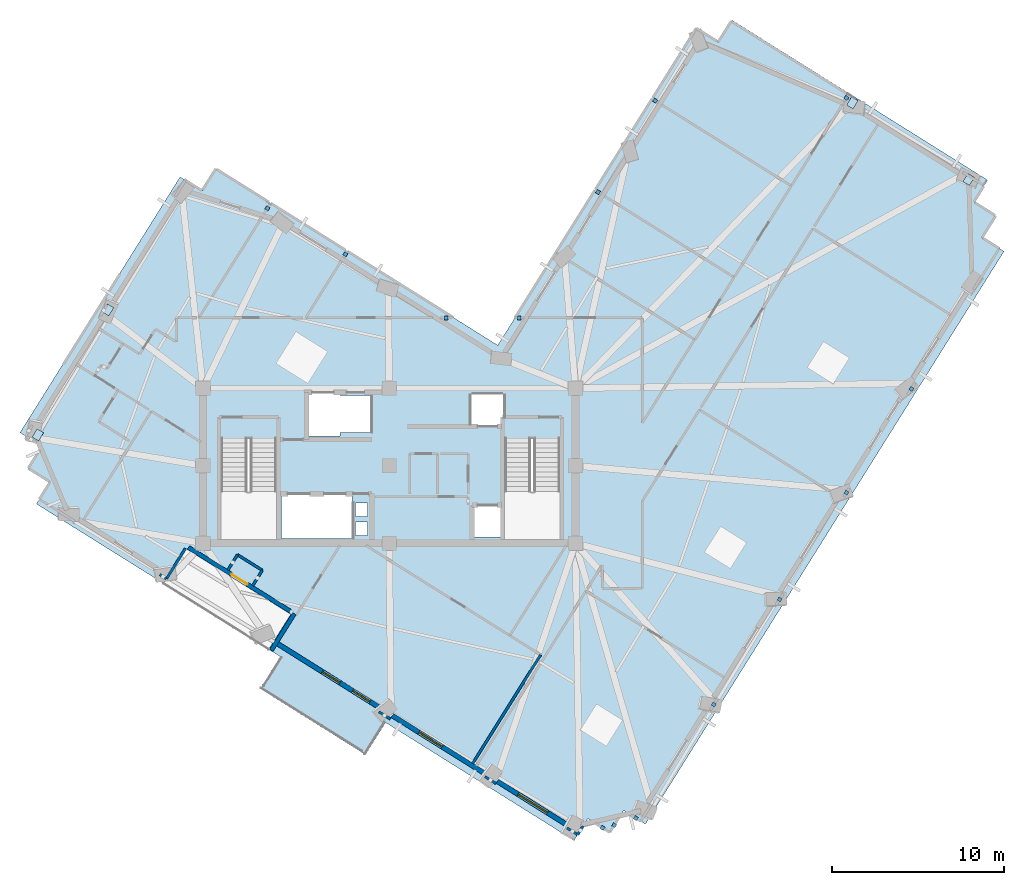
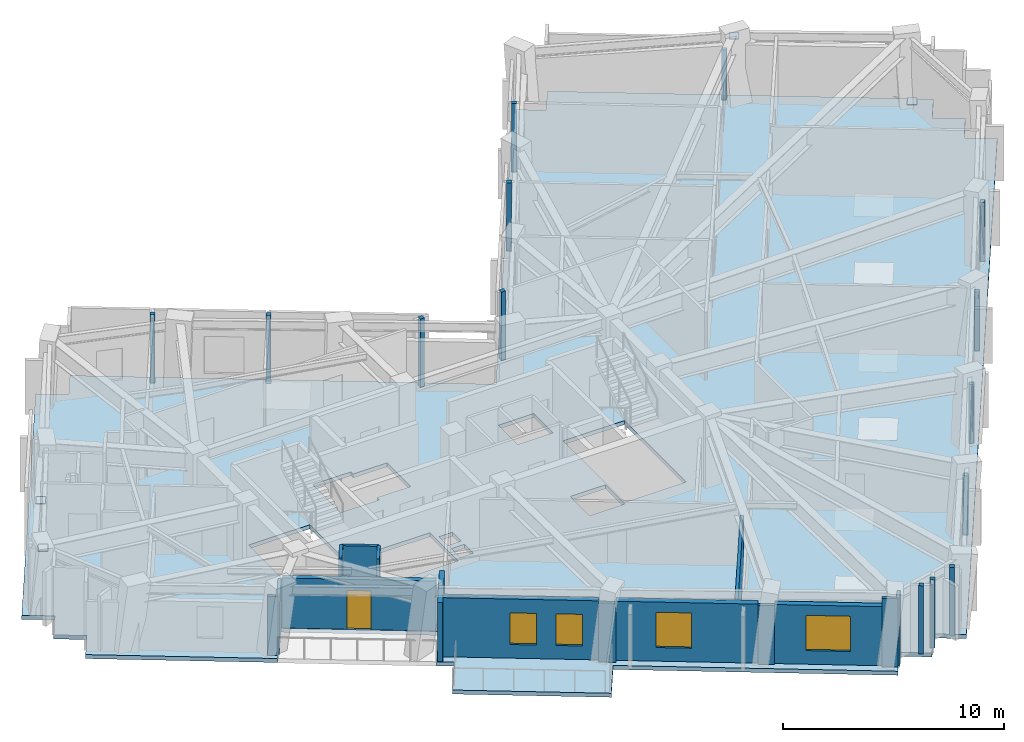
# One storey, part 4 of 12: 18 plates, 15 walls, 4 windows, 1 door, 1 slab, 5 openings.
"""IFC4 building model written with IfcOpenShell, lengths in metres."""

from ifc_helpers import new_model, si_unit, direction, frame, frame_2d, origin, origin_2d, place, context, subcontext, project, spatial, polyline, rectangle, outline, extrude, material, layer, layer_set, type_object, element, fill, save


model = new_model("IFC4")

# Units and contexts
model_context = context("Model", 3, precision=1e-05, world=origin(), true_north=direction((0.0, 1.0)))
body_context = subcontext(model_context, "Body", "Model", "MODEL_VIEW")
ifc_project = project(units=[si_unit("LENGTHUNIT", "METRE"), si_unit("AREAUNIT", "SQUARE_METRE"), si_unit("VOLUMEUNIT", "CUBIC_METRE"), si_unit("PLANEANGLEUNIT", "RADIAN"), si_unit("MASSUNIT", "GRAM", prefix="KILO")], contexts=[model_context])

# Site, building, storey
site_placement = place(None, origin())
site = spatial("IfcSite", under=ifc_project, at=site_placement, CompositionType="ELEMENT")
building_placement = place(site_placement, origin())
building = spatial("IfcBuilding", under=site, at=building_placement, Name="Gaonmaruhae Medical Tower", CompositionType="ELEMENT")
storey_placement = place(building_placement, frame((0.0, 0.0, 272.60009765625)))
storey = spatial("IfcBuildingStorey", under=building, at=storey_placement, Name="L65", CompositionType="ELEMENT", Elevation=272.60009765625)

# Slab
ifc_material_1 = material(Name="Concrete C40/50", Category="concrete")
ifc_layer_1 = layer(ifc_material_1, 0.219970703125)
ifc_layer_set_1 = layer_set([ifc_layer_1], Name="Concrete C40/50")
slab_type = type_object("IfcSlabType", Name="FS-220 Clinical Ward Composite Floor Slab", PredefinedType="FLOOR", material=ifc_layer_set_1)
slab_placement = place(storey_placement, frame((0.0, 0.0, -0.22021484375)))
element("IfcSlab", 1, at=slab_placement, inside=storey, type_object=slab_type, Name="L65 Structural Slab 1", PredefinedType="FLOOR", context=body_context, shape_type="SweptSolid", body=[
    extrude(outline(polyline([(5.128662109375, 11.360107421875), (3.857177734375, 12.15625), (4.6533203125, 13.427490234375), (3.3818359375, 14.223388671875), (12.668212890625, 29.056396484375), (13.939697265625, 28.26025390625), (14.735595703125, 29.53173828125), (31.093994140625, 19.2900390625), (42.609375, 37.6826171875), (43.880859375, 36.88671875), (44.6767578125, 38.157958984375), (59.509521484375, 28.871337890625), (58.71337890625, 27.60009765625), (59.98486328125, 26.80419921875), (59.18896484375, 25.53271484375), (60.460205078125, 24.73681640625), (39.658447265625, -8.48876953125), (38.38720703125, -7.692626953125), (37.591064453125, -8.964111328125), (36.319580078125, -8.168212890625), (35.523681640625, -9.439453125), (24.58984375, -2.593994140625), (23.42236328125, -4.45849609375), (17.31982421875, -0.637939453125), (18.4873046875, 1.226806640625), (17.80908203125, 1.6513671875), (19.082763671875, 3.685546875), (12.980224609375, 7.50634765625), (11.70654296875, 5.47216796875), (4.33251953125, 10.0888671875), (5.128662109375, 11.360107421875)]), holes=[polyline([(23.550048828125, 8.25), (22.85009765625, 8.25), (22.85009765625, 9.050048828125), (23.550048828125, 9.050048828125), (23.550048828125, 8.25)]), polyline([(29.574951171875, 9.925048828125), (31.425048828125, 9.925048828125), (31.425048828125, 8.175048828125), (29.574951171875, 8.175048828125), (29.574951171875, 9.925048828125)]), polyline([(18.550048828125, 10.625), (22.64990234375, 10.625), (22.64990234375, 8.074951171875), (18.550048828125, 8.074951171875), (18.550048828125, 10.625)]), polyline([(23.550048828125, 9.35009765625), (22.85009765625, 9.35009765625), (22.85009765625, 10.14990234375), (23.550048828125, 10.14990234375), (23.550048828125, 9.35009765625)]), polyline([(15.050048828125, 13.889892578125), (18.25, 13.889892578125), (18.25, 8.300048828125), (15.050048828125, 8.300048828125), (15.050048828125, 13.889892578125)]), polyline([(31.5, 13.889892578125), (34.699951171875, 13.889892578125), (34.699951171875, 8.300048828125), (31.5, 8.300048828125), (31.5, 13.889892578125)]), polyline([(23.72509765625, 14.22509765625), (21.949951171875, 14.22509765625), (21.949951171875, 14.02490234375), (19.949951171875, 14.02490234375), (19.949951171875, 16.574951171875), (21.949951171875, 16.574951171875), (21.949951171875, 16.375), (23.72509765625, 16.375), (23.72509765625, 14.22509765625)]), polyline([(31.425048828125, 16.425048828125), (31.425048828125, 14.675048828125), (29.574951171875, 14.675048828125), (29.574951171875, 16.425048828125), (31.425048828125, 16.425048828125)])]), origin(), (0.0, 0.0, 1.0), 0.22021484375),
])

# Plates
ifc_material_2 = material(Name="Steel HSA650 (650 MPa)", Category="steel")
ifc_layer_2 = layer(ifc_material_2, 0.028076171875)
ifc_layer_set_2 = layer_set([ifc_layer_2], Name="Steel HSA650 (650 MPa)")
plate_type_1 = type_object("IfcPlateType", Name="GP-02 Tube Brace End Cap Gusset Plate", PredefinedType="USERDEFINED", material=ifc_layer_set_2)
for number, where, z_axis, x_axis, name in (
    (2, (58.412353515625, 28.909423828125, 0.23583984375), (0.0, 0.0, 1.0), (0.530659123936, 0.847585331506, 0.0), "L65 Gusset Cap Plate PLT-L65-PBR-E01A"),
    (3, (51.662109375, 33.34912109375, 3.515625), (0.0, 0.0, 1.0), (0.516533328867, 0.8562670846, 0.0), "L65 Gusset Cap Plate PLT-L65-PBR-E01B"),
    (4, (8.4912109375, 21.34814453125, 0.23583984375), (0.0, 0.0, 1.0), (0.530659123936, 0.847585331506, 0.0), "L65 Gusset Cap Plate PLT-L65-PBR-N02A"),
    (5, (4.4169921875, 14.08984375, 3.43701171875), (0.0, 0.0, 1.0), (0.516533328867, 0.8562670846, 0.0), "L65 Gusset Cap Plate PLT-L65-PBR-N02B"),
):
    element("IfcPlate", number, at=place(storey_placement, frame(where, z_axis=z_axis, x_axis=x_axis)), inside=storey, type_object=plate_type_1, Name=name, ObjectType="GUSSET_PLATE", PredefinedType="USERDEFINED", context=body_context, shape_type="SweptSolid", body=[
        extrude(rectangle(XDim=0.56005859375, YDim=0.43994140625, at=origin_2d()), origin(), (0.0, 0.0, 1.0), 0.028076171875),
    ])
ifc_material_3 = material(Name="Anodised aluminium 6063-T6", Category="aluminium")
ifc_layer_3 = layer(ifc_material_3, 0.011962890625)
ifc_layer_set_3 = layer_set([ifc_layer_3], Name="Anodised aluminium 6063-T6")
plate_type_2 = type_object("IfcPlateType", Name="PP-01 Interior Partition Corner Stiffener Plate", PredefinedType="SHEET", material=ifc_layer_set_3)
plate_1_placement = place(storey_placement, frame((37.172607421875, -8.701904296875, 0.0), z_axis=(0.0, 0.0, 1.0), x_axis=(-0.847603854487, 0.530629537303, 0.0)))
element("IfcPlate", 6, at=plate_1_placement, inside=storey, type_object=plate_type_2, Name="L65 Partition Corner Stiffener Plate PLT-L65-JGP-PW008", PredefinedType="SHEET", context=body_context, shape_type="SweptSolid", body=[
    extrude(rectangle(XDim=0.219970703125, YDim=0.219970703125, at=origin_2d()), origin(), (0.0, 0.0, 1.0), 3.780029296875),
])
plate_2_placement = place(storey_placement, frame((43.625, -1.550048828125, 0.0), z_axis=(0.0, 0.0, 1.0), x_axis=(-0.530244852254, -0.847844559255, 0.0)))
element("IfcPlate", 7, at=plate_2_placement, inside=storey, type_object=plate_type_2, Name="L65 Partition Corner Stiffener Plate PLT-L65-JGP-PW014", PredefinedType="SHEET", context=body_context, shape_type="SweptSolid", body=[
    extrude(rectangle(XDim=0.219970703125, YDim=0.219970703125, at=origin_2d()), origin(), (0.0, 0.0, 1.0), 3.264892578125),
])
for number, where, z_axis, x_axis, name in (
    (8, (39.10400390625, -8.14208984375, 0.0), (0.0, 0.0, 1.0), (-0.847826049701, 0.530274447289, 0.0), "L65 Partition Corner Stiffener Plate PLT-L65-JGP-PW016"),
    (9, (37.85302734375, -8.54541015625, 0.0), (0.0, 0.0, 1.0), (-0.530629537303, -0.847603854487, 0.0), "L65 Partition Corner Stiffener Plate PLT-L65-JGP-PW017"),
):
    element("IfcPlate", number, at=place(storey_placement, frame(where, z_axis=z_axis, x_axis=x_axis)), inside=storey, type_object=plate_type_2, Name=name, PredefinedType="SHEET", context=body_context, shape_type="SweptSolid", body=[
        extrude(rectangle(XDim=0.219970703125, YDim=0.219970703125, at=origin_2d()), origin(), (0.0, 0.0, 1.0), 3.780029296875),
    ])
for number, where, z_axis, x_axis, name in (
    (10, (47.445556640625, 4.552001953125, 0.0), (0.0, 0.0, 1.0), (-0.530466799267, -0.847705712424, 0.0), "L65 Partition Corner Stiffener Plate PLT-L65-JGP-PW022"),
    (11, (55.0859375, 16.756591796875, 0.0), (0.0, 0.0, 1.0), (-0.530570362098, -0.847640897352, 0.0), "L65 Partition Corner Stiffener Plate PLT-L65-JGP-PW027"),
    (12, (51.322021484375, 10.744384765625, 0.0), (0.0, 0.0, 1.0), (-0.529845256058, -0.848094337107, 0.0), "L65 Partition Corner Stiffener Plate PLT-L65-JGP-PW028"),
):
    element("IfcPlate", number, at=place(storey_placement, frame(where, z_axis=z_axis, x_axis=x_axis)), inside=storey, type_object=plate_type_2, Name=name, PredefinedType="SHEET", context=body_context, shape_type="SweptSolid", body=[
        extrude(rectangle(XDim=0.219970703125, YDim=0.219970703125, at=origin_2d()), origin(), (0.0, 0.0, 1.0), 3.264892578125),
    ])
for number, where, z_axis, x_axis, name in (
    (13, (32.346435546875, 20.8798828125, 0.0), (0.0, 0.0, 1.0), (-1.0, 0.0, 0.0), "L65 Partition Corner Stiffener Plate PLT-L65-JGP-PW058"),
    (14, (28.10693359375, 20.8798828125, 0.0), (0.0, 0.0, 1.0), (-1.0, 0.0, 0.0), "L65 Partition Corner Stiffener Plate PLT-L65-JGP-PW063"),
    (15, (22.256591796875, 24.56591796875, 0.0), (0.0, 0.0, 1.0), (0.531649902258, 0.846964214964, 0.0), "L65 Partition Corner Stiffener Plate PLT-L65-JGP-PW066"),
    (16, (17.73095703125, 27.2294921875, 0.0), (0.0, 0.0, 1.0), (0.530866212258, 0.84745564172, 0.0), "L65 Partition Corner Stiffener Plate PLT-L65-JGP-PW070"),
    (17, (36.9140625, 28.175537109375, 0.0), (0.0, 0.0, 1.0), (0.846964214964, -0.531649902258, 0.0), "L65 Partition Corner Stiffener Plate PLT-L65-JGP-PW092"),
    (18, (40.23046875, 33.473388671875, 0.0), (0.0, 0.0, 1.0), (0.847613115591, -0.530614743744, 0.0), "L65 Partition Corner Stiffener Plate PLT-L65-JGP-PW096"),
):
    element("IfcPlate", number, at=place(storey_placement, frame(where, z_axis=z_axis, x_axis=x_axis)), inside=storey, type_object=plate_type_2, Name=name, PredefinedType="SHEET", context=body_context, shape_type="SweptSolid", body=[
        extrude(rectangle(XDim=0.219970703125, YDim=0.219970703125, at=origin_2d()), origin(), (0.0, 0.0, 1.0), 3.780029296875),
    ])
plate_3_placement = place(storey_placement, frame((51.31640625, 33.632080078125, 0.0), z_axis=(0.0, 0.0, 1.0), x_axis=(-0.531161997734, -0.847270282828, 0.0)))
element("IfcPlate", 19, at=plate_3_placement, inside=storey, type_object=plate_type_2, Name="L65 Partition Corner Stiffener Plate PLT-L65-JGP-PW101", PredefinedType="SHEET", context=body_context, shape_type="SweptSolid", body=[
    extrude(rectangle(XDim=0.219970703125, YDim=0.219970703125, at=origin_2d()), origin(), (0.0, 0.0, 1.0), 2.764892578125),
])

# Wall, opening, door
ifc_material_4 = material(Name="Precast concrete C45/55", Category="concrete")
ifc_layer_4 = layer(ifc_material_4, 0.239990234375)
ifc_layer_set_4 = layer_set([ifc_layer_4], Name="Precast concrete C45/55")
wall_type_1 = type_object("IfcWallType", Name="EW-240 Ribbon & Shelter Insulated Precast Wall", PredefinedType="SOLIDWALL", material=ifc_layer_set_4)
wall_1_placement = place(storey_placement, frame((19.055419921875, 3.867919921875, 0.0), z_axis=(0.0, 0.0, 1.0), x_axis=(-0.847586178769, 0.530657770658, 0.0)))
wall_1 = element("IfcWall", 20, at=wall_1_placement, inside=storey, type_object=wall_type_1, Name="L65 Recessed Terrace Enclosure Wall TERB", PredefinedType="SOLIDWALL", context=body_context, shape_type="SweptSolid", body=[
    extrude(rectangle(XDim=6.9599609375, YDim=0.239990234375, at=frame_2d((3.47998046875, 0.0))), origin(), (0.0, 0.0, 1.0), 2.764892578125),
])
opening_1_placement = place(wall_1_placement, frame((2.929931640625, 0.0, 0.0)))
opening_1 = element("IfcOpeningElement", 21, at=opening_1_placement, cuts=wall_1, Name="Opening TD-01", PredefinedType="OPENING", context=body_context, shape_type="SweptSolid", body=[
    extrude(rectangle(XDim=1.10009765625, YDim=2.14990234375, at=frame_2d((0.550048828125, 1.074951171875))), frame((0.0, 0.1298828125, 0.0), z_axis=(0.0, -1.0, 0.0), x_axis=(1.0, 0.0, 0.0)), (0.0, 0.0, 1.0), 0.260009765625),
])
ifc_material_5 = material(Name="Anodised aluminium and toughened safety glass", Category="aluminium")
door_type = type_object("IfcDoorType", Name="TD-01 Terrace & Sky Garden Glazed Door 1100x2150", OperationType="NOTDEFINED", PredefinedType="DOOR", material=ifc_material_5)
door_placement = place(opening_1_placement, origin())
door = element("IfcDoor", 22, at=door_placement, inside=storey, type_object=door_type, Name="L65 Outdoor Terrace Access Door SLB-L65-TER", OperationType="SINGLE_SWING_RIGHT", OverallHeight=2.14990234375, OverallWidth=1.10009765625, PredefinedType="DOOR", context=body_context, shape_type="SweptSolid", body=[
    extrude(rectangle(XDim=1.10009765625, YDim=2.14990234375, at=frame_2d((0.550048828125, 1.074951171875))), frame((0.0, 0.02490234375, 0.0), z_axis=(0.0, -1.0, 0.0), x_axis=(1.0, 0.0, 0.0)), (0.0, 0.0, 1.0), 0.050048828125),
])
fill(opening_1, door)

# Wall
wall_2_placement = place(storey_placement, frame((17.966064453125, 1.600341796875, 0.0), z_axis=(0.0, 0.0, 1.0), x_axis=(0.530674698105, 0.847575580577, 0.0)))
element("IfcWall", 23, at=wall_2_placement, inside=storey, type_object=wall_type_1, Name="L65 Recessed Terrace Enclosure Wall TERL", PredefinedType="SOLIDWALL", context=body_context, shape_type="SweptSolid", body=[
    extrude(rectangle(XDim=2.5, YDim=0.239990234375, at=frame_2d((1.25, 0.0))), origin(), (0.0, 0.0, 1.0), 3.264892578125),
])

# Wall, openings, windows
ifc_layer_5 = layer(ifc_material_4, 0.280029296875)
ifc_layer_set_5 = layer_set([ifc_layer_5], Name="Precast concrete C45/55")
wall_type_2 = type_object("IfcWallType", Name="EW-280 Upper Precast Masonry-Frame Facade Wall", PredefinedType="SOLIDWALL", material=ifc_layer_set_5)
wall_3_placement = place(storey_placement, frame((24.316650390625, -1.77392578125, 0.0), z_axis=(0.0, 0.0, 1.0), x_axis=(-0.847587721297, 0.530655306867, 0.0)))
wall_3 = element("IfcWall", 24, at=wall_3_placement, inside=storey, type_object=wall_type_2, Name="L65 Precast Masonry-Frame Wall W03-W04", PredefinedType="SOLIDWALL", context=body_context, shape_type="SweptSolid", body=[
    extrude(rectangle(XDim=7.1533203125, YDim=0.280029296875, at=frame_2d((3.57666015625, 0.0))), origin(), (0.0, 0.0, 1.0), 3.264892578125),
])
opening_2_placement = place(wall_3_placement, frame((2.812744140625, 0.0, 0.75)))
opening_2 = element("IfcOpeningElement", 25, at=opening_2_placement, cuts=wall_3, Name="Opening WN-05", PredefinedType="OPENING", context=body_context, shape_type="SweptSolid", body=[
    extrude(rectangle(XDim=1.199951171875, YDim=1.75, at=frame_2d((0.60009765625, 0.875))), frame((0.0, 0.14990234375, 0.0), z_axis=(0.0, -1.0, 0.0), x_axis=(1.0, 0.0, 0.0)), (0.0, 0.0, 1.0), 0.300048828125),
])
opening_3_placement = place(wall_3_placement, frame((0.742431640625, 0.0, 0.75)))
opening_3 = element("IfcOpeningElement", 26, at=opening_3_placement, cuts=wall_3, Name="Opening WN-05", PredefinedType="OPENING", context=body_context, shape_type="SweptSolid", body=[
    extrude(rectangle(XDim=1.199951171875, YDim=1.75, at=frame_2d((0.60009765625, 0.875))), frame((0.0, 0.14990234375, 0.0), z_axis=(0.0, -1.0, 0.0), x_axis=(1.0, 0.0, 0.0)), (0.0, 0.0, 1.0), 0.300048828125),
])
ifc_material_6 = material(Name="Anodised aluminium and Low-E double glazing", Category="aluminium")
window_type_1 = type_object("IfcWindowType", Name="WN-05 Support & Staff Punched Window 1200x1750", PartitioningType="SINGLE_PANEL", PredefinedType="WINDOW", material=ifc_material_6)
window_1_placement = place(opening_2_placement, origin())
window_1 = element("IfcWindow", 27, at=window_1_placement, inside=storey, type_object=window_type_1, Name="L65 Modular Facade Window W03", OverallHeight=1.75, OverallWidth=1.199951171875, PartitioningType="SINGLE_PANEL", PredefinedType="WINDOW", context=body_context, shape_type="SweptSolid", body=[
    extrude(rectangle(XDim=1.199951171875, YDim=1.75, at=frame_2d((0.60009765625, 0.875))), frame((0.0, 0.030029296875, 0.0), z_axis=(0.0, -1.0, 0.0), x_axis=(1.0, 0.0, 0.0)), (0.0, 0.0, 1.0), 0.06005859375),
])
fill(opening_2, window_1)
window_2_placement = place(opening_3_placement, origin())
window_2 = element("IfcWindow", 28, at=window_2_placement, inside=storey, type_object=window_type_1, Name="L65 Modular Facade Window W03B", OverallHeight=1.75, OverallWidth=1.199951171875, PartitioningType="SINGLE_PANEL", PredefinedType="WINDOW", context=body_context, shape_type="SweptSolid", body=[
    extrude(rectangle(XDim=1.199951171875, YDim=1.75, at=frame_2d((0.60009765625, 0.875))), frame((0.0, 0.030029296875, 0.0), z_axis=(0.0, -1.0, 0.0), x_axis=(1.0, 0.0, 0.0)), (0.0, 0.0, 1.0), 0.06005859375),
])
fill(opening_3, window_2)

# Wall, opening, window
wall_4_placement = place(storey_placement, frame((30.429931640625, -5.601318359375, 0.0), z_axis=(0.0, 0.0, 1.0), x_axis=(-0.847592454716, 0.530647746351, 0.0)))
wall_4 = element("IfcWall", 29, at=wall_4_placement, inside=storey, type_object=wall_type_2, Name="L65 Precast Masonry-Frame Wall W04-W05", PredefinedType="SOLIDWALL", context=body_context, shape_type="SweptSolid", body=[
    extrude(rectangle(XDim=6.425048828125, YDim=0.280029296875, at=frame_2d((3.21240234375, 0.0))), origin(), (0.0, 0.0, 1.0), 3.264892578125),
])
opening_4_placement = place(wall_4_placement, frame((3.01953125, 0.0, 0.75)))
opening_4 = element("IfcOpeningElement", 30, at=opening_4_placement, cuts=wall_4, Name="Opening WN-01", PredefinedType="OPENING", context=body_context, shape_type="SweptSolid", body=[
    extrude(rectangle(XDim=1.60009765625, YDim=1.949951171875, at=frame_2d((0.800048828125, 0.97509765625))), frame((0.0, 0.14990234375, 0.0), z_axis=(0.0, -1.0, 0.0), x_axis=(1.0, 0.0, 0.0)), (0.0, 0.0, 1.0), 0.300048828125),
])
window_type_2 = type_object("IfcWindowType", Name="WN-01 Ward Punched Acoustic Window 1600x1950", PartitioningType="SINGLE_PANEL", PredefinedType="WINDOW", material=ifc_material_6)
window_3_placement = place(opening_4_placement, origin())
window_3 = element("IfcWindow", 31, at=window_3_placement, inside=storey, type_object=window_type_2, Name="L65 Modular Facade Window W04", OverallHeight=1.949951171875, OverallWidth=1.60009765625, PartitioningType="SINGLE_PANEL", PredefinedType="WINDOW", context=body_context, shape_type="SweptSolid", body=[
    extrude(rectangle(XDim=1.60009765625, YDim=1.949951171875, at=frame_2d((0.800048828125, 0.97509765625))), frame((0.0, 0.030029296875, 0.0), z_axis=(0.0, -1.0, 0.0), x_axis=(1.0, 0.0, 0.0)), (0.0, 0.0, 1.0), 0.06005859375),
])
fill(opening_4, window_3)

wall_5_placement = place(storey_placement, frame((35.190673828125, -8.58203125, 0.0), z_axis=(0.0, 0.0, 1.0), x_axis=(-0.847582803741, 0.530663161339, 0.0)))
wall_5 = element("IfcWall", 32, at=wall_5_placement, inside=storey, type_object=wall_type_2, Name="L65 Precast Masonry-Frame Wall W05-W06", PredefinedType="SOLIDWALL", context=body_context, shape_type="SweptSolid", body=[
    extrude(rectangle(XDim=4.85546875, YDim=0.280029296875, at=frame_2d((2.427734375, 0.0))), origin(), (0.0, 0.0, 1.0), 3.264892578125),
])
opening_5_placement = place(wall_5_placement, frame((1.4326171875, 0.0, 0.75)))
opening_5 = element("IfcOpeningElement", 33, at=opening_5_placement, cuts=wall_5, Name="Opening WN-02", PredefinedType="OPENING", context=body_context, shape_type="SweptSolid", body=[
    extrude(rectangle(XDim=2.0, YDim=1.949951171875, at=frame_2d((1.0, 0.97509765625))), frame((0.0, 0.14990234375, 0.0), z_axis=(0.0, -1.0, 0.0), x_axis=(1.0, 0.0, 0.0)), (0.0, 0.0, 1.0), 0.300048828125),
])
window_type_3 = type_object("IfcWindowType", Name="WN-02 Double-Bed Ward Punched Window 2000x1950", PartitioningType="SINGLE_PANEL", PredefinedType="WINDOW", material=ifc_material_6)
window_4_placement = place(opening_5_placement, origin())
window_4 = element("IfcWindow", 34, at=window_4_placement, inside=storey, type_object=window_type_3, Name="L65 Modular Facade Window W05", OverallHeight=1.949951171875, OverallWidth=2.0, PartitioningType="SINGLE_PANEL", PredefinedType="WINDOW", context=body_context, shape_type="SweptSolid", body=[
    extrude(rectangle(XDim=2.0, YDim=1.949951171875, at=frame_2d((1.0, 0.97509765625))), frame((0.0, 0.030029296875, 0.0), z_axis=(0.0, -1.0, 0.0), x_axis=(1.0, 0.0, 0.0)), (0.0, 0.0, 1.0), 0.06005859375),
])
fill(opening_5, window_4)

# Walls
ifc_material_7 = material(Name="Gypsum board partition", Category="gypsum")
ifc_layer_6 = layer(ifc_material_7, 0.14990234375)
ifc_layer_set_6 = layer_set([ifc_layer_6], Name="Gypsum board partition")
wall_type_3 = type_object("IfcWallType", Name="PW-150 Rated Clinical Corridor Partition", PredefinedType="PARTITIONING", material=ifc_layer_set_6)
wall_6_placement = place(storey_placement, frame((36.048095703125, -8.60302734375, 0.0), z_axis=(0.0, 0.0, 1.0), x_axis=(-0.531643231054, -0.846968402524, 0.0)))
element("IfcWall", 35, at=wall_6_placement, inside=storey, type_object=wall_type_3, Name="L65 Interior Partition L65-SUP01-9", PredefinedType="PARTITIONING", context=body_context, shape_type="SweptSolid", body=[
    extrude(rectangle(XDim=0.5869140625, YDim=0.14990234375, at=frame_2d((0.29345703125, 0.0))), origin(), (0.0, 0.0, 1.0), 3.77978515625),
])
wall_7_placement = place(storey_placement, frame((35.736083984375, -9.10009765625, 0.0), z_axis=(0.0, 0.0, 1.0), x_axis=(-0.847700522622, 0.530475092672, 0.0)))
element("IfcWall", 36, at=wall_7_placement, inside=storey, type_object=wall_type_3, Name="L65 Interior Partition L65-SUP01-10", PredefinedType="PARTITIONING", context=body_context, shape_type="SweptSolid", body=[
    extrude(rectangle(XDim=0.7373046875, YDim=0.14990234375, at=frame_2d((0.36865234375, 0.0))), origin(), (0.0, 0.0, 1.0), 3.77978515625),
])
wall_8_placement = place(storey_placement, frame((30.99609375, -6.133056640625, 0.0), z_axis=(0.0, 0.0, 1.0), x_axis=(-0.847818246635, 0.530286922971, 0.0)))
element("IfcWall", 37, at=wall_8_placement, inside=storey, type_object=wall_type_3, Name="L65 Interior Partition L65-SUP01-11", PredefinedType="PARTITIONING", context=body_context, shape_type="SweptSolid", body=[
    extrude(rectangle(XDim=0.761962890625, YDim=0.14990234375, at=frame_2d((0.380859375, 0.0))), origin(), (0.0, 0.0, 1.0), 3.264892578125),
])
wall_9_placement = place(storey_placement, frame((33.583984375, 1.33203125, 0.0), z_axis=(0.0, 0.0, 1.0), x_axis=(-0.530704145161, -0.847557142798, 0.0)))
element("IfcWall", 38, at=wall_9_placement, inside=storey, type_object=wall_type_3, Name="L65 Interior Partition L65-WOF05-36", PredefinedType="PARTITIONING", context=body_context, shape_type="SweptSolid", body=[
    extrude(rectangle(XDim=7.435546875, YDim=0.14990234375, at=frame_2d((3.7177734375, 0.0))), origin(), (0.0, 0.0, 1.0), 2.764892578125),
])
wall_10_placement = place(storey_placement, frame((24.862060546875, -2.386962890625, 0.0), z_axis=(0.0, 0.0, 1.0), x_axis=(-0.8477196799, 0.530444478066, 0.0)))
element("IfcWall", 39, at=wall_10_placement, inside=storey, type_object=wall_type_3, Name="L65 Interior Partition L65-WOF05-37", PredefinedType="PARTITIONING", context=body_context, shape_type="SweptSolid", body=[
    extrude(rectangle(XDim=0.787841796875, YDim=0.14990234375, at=frame_2d((0.39404296875, 0.0))), origin(), (0.0, 0.0, 1.0), 3.264892578125),
])
wall_11_placement = place(storey_placement, frame((16.876953125, 5.343994140625, 0.0), z_axis=(0.0, 0.0, 1.0), x_axis=(0.530872325741, 0.847451812059, 0.0)))
element("IfcWall", 40, at=wall_11_placement, inside=storey, type_object=wall_type_3, Name="L65 Interior Partition L65-WOF06-40", PredefinedType="PARTITIONING", context=body_context, shape_type="SweptSolid", body=[
    extrude(rectangle(XDim=1.054931640625, YDim=0.14990234375, at=frame_2d((0.52734375, 0.0))), origin(), (0.0, 0.0, 1.0), 3.77978515625),
])
wall_12_placement = place(storey_placement, frame((17.43701171875, 6.238037109375, 0.0), z_axis=(0.0, 0.0, 1.0), x_axis=(-0.847659246406, 0.530541046463, 0.0)))
element("IfcWall", 41, at=wall_12_placement, inside=storey, type_object=wall_type_3, Name="L65 Interior Partition L65-WOF06-41", PredefinedType="PARTITIONING", context=body_context, shape_type="SweptSolid", body=[
    extrude(rectangle(XDim=1.699951171875, YDim=0.14990234375, at=frame_2d((0.85009765625, 0.0))), origin(), (0.0, 0.0, 1.0), 3.77978515625),
])
wall_13_placement = place(storey_placement, frame((15.99609375, 7.139892578125, 0.0), z_axis=(0.0, 0.0, 1.0), x_axis=(-0.53097645439, -0.847386573462, 0.0)))
element("IfcWall", 42, at=wall_13_placement, inside=storey, type_object=wall_type_3, Name="L65 Interior Partition L65-WOF06-42", PredefinedType="PARTITIONING", context=body_context, shape_type="SweptSolid", body=[
    extrude(rectangle(XDim=1.0546875, YDim=0.14990234375, at=frame_2d((0.52734375, 0.0))), origin(), (0.0, 0.0, 1.0), 3.77978515625),
])
wall_14_placement = place(storey_placement, frame((12.97998046875, 7.506103515625, 0.0), z_axis=(0.0, 0.0, 1.0), x_axis=(-0.530695000378, -0.847562868803, 0.0)))
element("IfcWall", 43, at=wall_14_placement, inside=storey, type_object=wall_type_3, Name="L65 Interior Partition L65-WOF06-43", PredefinedType="PARTITIONING", context=body_context, shape_type="SweptSolid", body=[
    extrude(rectangle(XDim=2.080322265625, YDim=0.14990234375, at=frame_2d((1.0400390625, 0.0))), origin(), (0.0, 0.0, 1.0), 2.744873046875),
])
wall_15_placement = place(storey_placement, frame((11.8759765625, 5.742919921875, 0.0), z_axis=(0.0, 0.0, 1.0), x_axis=(-0.846989396805, 0.5316097833, 0.0)))
element("IfcWall", 44, at=wall_15_placement, inside=storey, type_object=wall_type_3, Name="L65 Interior Partition L65-WOF06-44", PredefinedType="PARTITIONING", context=body_context, shape_type="SweptSolid", body=[
    extrude(rectangle(XDim=0.462890625, YDim=0.14990234375, at=frame_2d((0.2314453125, 0.0))), origin(), (0.0, 0.0, 1.0), 3.244873046875),
])

save(model, "model.ifc")
